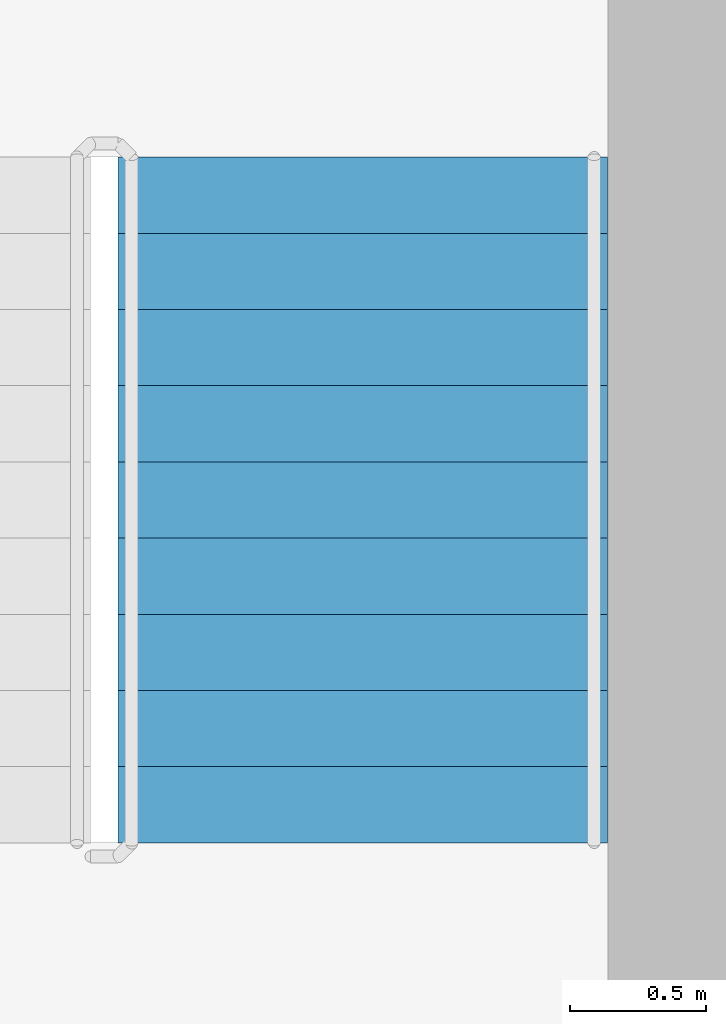
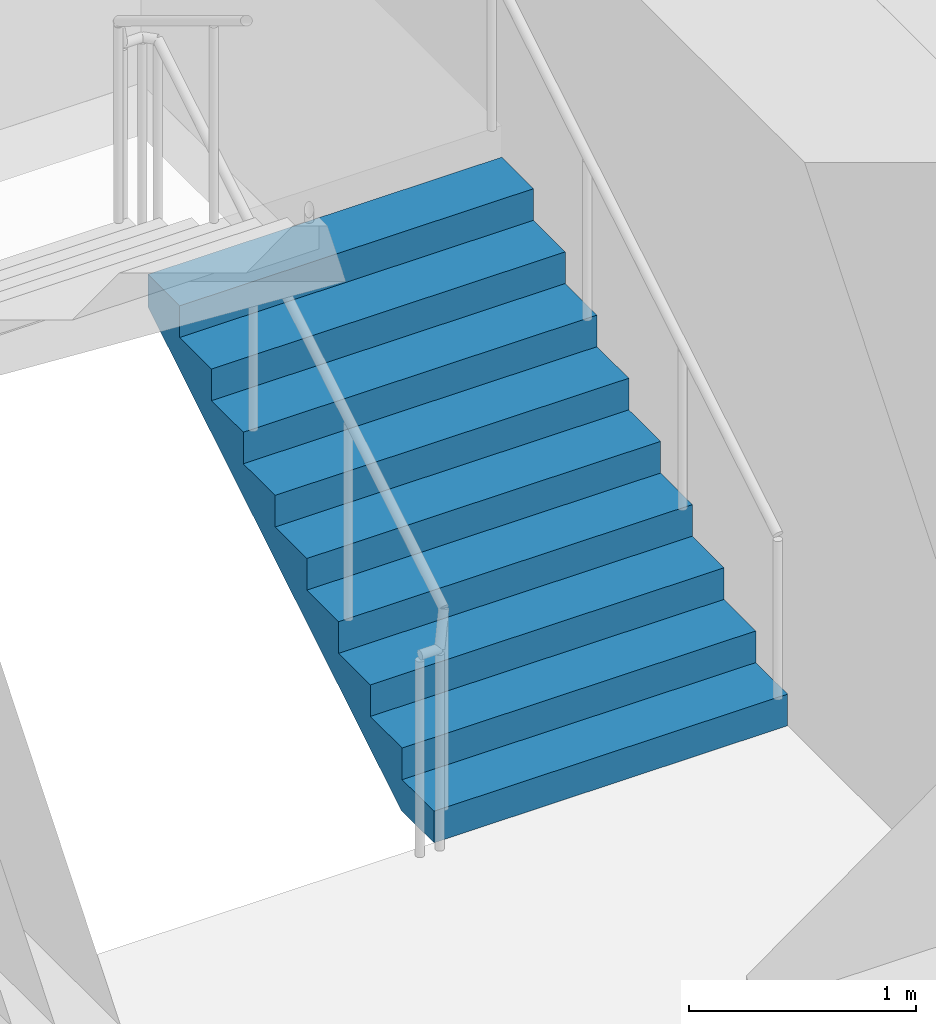
# One storey, part 13 of 24: 1 stair flight, 1 element without a shape of its own.
"""IFC4 building model written with IfcOpenShell, lengths in metres."""

import ifcopenshell
import ifcopenshell.guid

model = None  # the IFC model being written
_history = None  # IfcOwnerHistory: only IFC2X3 demands one
_inside = {}  # id of a spatial element -> (the spatial element, [elements in it])
_under = {}  # id of a project, library or spatial element -> (it, [spatial elements below it])
_declared = {}  # id of a project -> (the project, [libraries it declares])
_typed = {}  # id of a type object -> (the type object, [elements of that type])
_made_of = {}  # id of a material, layer set ... -> (it, [elements and type objects made of it])


def new_model(schema):
    """Start an empty IFC model of exactly this schema.

    Asked for "IFC4X3", IfcOpenShell would pick the latest addendum, in which some entities
    have other attributes; the version numbers below select the first issue.
    IFC2X3 requires an IfcOwnerHistory on every rooted entity: one is made here for all.
    """
    global model, _history
    if schema == "IFC4X3":
        model = ifcopenshell.file(schema_version=(4, 3, 0, 0))
    else:
        model = ifcopenshell.file(schema=schema)
    _inside.clear()
    _under.clear()
    _declared.clear()
    _typed.clear()
    _made_of.clear()
    _history = None
    if model.schema == "IFC2X3":
        org = make("IfcOrganization", Name="unknown")
        user = make(
            "IfcPersonAndOrganization",
            ThePerson=make("IfcPerson", FamilyName="unknown"),
            TheOrganization=org,
        )
        app = make(
            "IfcApplication",
            ApplicationDeveloper=org,
            Version="unknown",
            ApplicationFullName="unknown",
            ApplicationIdentifier="unknown",
        )
        _history = make(
            "IfcOwnerHistory",
            OwningUser=user,
            OwningApplication=app,
            ChangeAction="ADDED",
            CreationDate=0,
        )
    return model


def make(cls, **values):
    """One entity of the class cls with the attributes given. An attribute that is None is left unset."""
    return model.create_entity(
        cls, **{name: value for name, value in values.items() if value is not None}
    )


def rooted(cls, **values):
    """An entity with a GlobalId (a new one), such as an element, a storey or a relation."""
    return make(cls, GlobalId=ifcopenshell.guid.new(), OwnerHistory=_history, **values)


def si_unit(unit_type, name, prefix=None):
    """IfcSIUnit, for example si_unit("LENGTHUNIT", "METRE", prefix="MILLI")."""
    return make("IfcSIUnit", UnitType=unit_type, Prefix=prefix, Name=name)


def assignment(units):
    """IfcUnitAssignment: the units of a project."""
    return None if units is None else make("IfcUnitAssignment", Units=units)


def point(xyz):
    """IfcCartesianPoint."""
    return None if xyz is None else make("IfcCartesianPoint", Coordinates=xyz)


def direction(xyz):
    """IfcDirection."""
    return None if xyz is None else make("IfcDirection", DirectionRatios=xyz)


def frame(location, z_axis=None, x_axis=None):
    """IfcAxis2Placement3D, a coordinate frame: its origin and axes. An axis left out is left unset."""
    return make(
        "IfcAxis2Placement3D",
        Location=point(location),
        Axis=direction(z_axis),
        RefDirection=direction(x_axis),
    )


def origin():
    """The frame at (0, 0, 0) with its axes left unset."""
    return frame((0.0, 0.0, 0.0))


def place(relative_to, where):
    """IfcLocalPlacement: puts the frame where relative to a parent placement (None: the world)."""
    return make(
        "IfcLocalPlacement", PlacementRelTo=relative_to, RelativePlacement=where
    )


def context(
    kind, dimensions, precision=None, world=None, true_north=None, identifier=None
):
    """IfcGeometricRepresentationContext, for example the 3D "Model" context."""
    return make(
        "IfcGeometricRepresentationContext",
        ContextIdentifier=identifier,
        ContextType=kind,
        CoordinateSpaceDimension=dimensions,
        Precision=precision,
        WorldCoordinateSystem=world,
        TrueNorth=true_north,
    )


def subcontext(parent, identifier, kind, view, scale=None):
    """IfcGeometricRepresentationSubContext, for example "Body" below "Model"."""
    return make(
        "IfcGeometricRepresentationSubContext",
        ContextIdentifier=identifier,
        ContextType=kind,
        ParentContext=parent,
        TargetScale=scale,
        TargetView=view,
    )


def project(units=None, contexts=None):
    """IfcProject with its units and contexts."""
    return rooted(
        "IfcProject",
        Name="project",
        RepresentationContexts=contexts,
        UnitsInContext=assignment(units),
    )


def spatial(cls, under=None, at=None, **own):
    """A site, building, storey or space (cls), placed at a placement, below another one or the project."""
    s = rooted(cls, ObjectPlacement=at, **own)
    if under is not None:
        _under.setdefault(under.id(), (under, []))[1].append(s)
    return s


def point_list(points):
    """IfcCartesianPointList2D or 3D."""
    cls = (
        "IfcCartesianPointList2D" if len(points[0]) == 2 else "IfcCartesianPointList3D"
    )
    return make(cls, CoordList=points)


def triangles(points, corners, closed=None, point_numbers=None):
    """IfcTriangulatedFaceSet: each triangle names its three corners, points numbered from 1."""
    return make(
        "IfcTriangulatedFaceSet",
        Coordinates=point_list(points),
        Closed=closed,
        CoordIndex=corners,
        PnIndex=point_numbers,
    )


def shape(context_of_items, identifier, shape_type, items):
    """IfcShapeRepresentation: the items that make up one representation, for example the "Body"."""
    return make(
        "IfcShapeRepresentation",
        ContextOfItems=context_of_items,
        RepresentationIdentifier=identifier,
        RepresentationType=shape_type,
        Items=items,
    )


def source(mapping_origin, context_of_items, identifier, shape_type, items):
    """IfcRepresentationMap: a shape defined once, which mapped items show again and again."""
    return make(
        "IfcRepresentationMap",
        MappingOrigin=mapping_origin,
        MappedRepresentation=shape(context_of_items, identifier, shape_type, items),
    )


def transform(
    local_origin,
    x_axis=None,
    y_axis=None,
    z_axis=None,
    scale=None,
    scale2=None,
    scale3=None,
    uniform=True,
):
    """IfcCartesianTransformationOperator3D, or its non-uniform kind. x_axis, y_axis, z_axis: its Axis1, 2, 3."""
    if uniform:
        return make(
            "IfcCartesianTransformationOperator3D",
            Axis1=direction(x_axis),
            Axis2=direction(y_axis),
            LocalOrigin=point(local_origin),
            Scale=scale,
            Axis3=direction(z_axis),
        )
    return make(
        "IfcCartesianTransformationOperator3DnonUniform",
        Axis1=direction(x_axis),
        Axis2=direction(y_axis),
        LocalOrigin=point(local_origin),
        Scale=scale,
        Axis3=direction(z_axis),
        Scale2=scale2,
        Scale3=scale3,
    )


def mapped(mapping_source, mapping_target):
    """IfcMappedItem: shows the shape of a source again, moved by a transform."""
    return make(
        "IfcMappedItem", MappingSource=mapping_source, MappingTarget=mapping_target
    )


def material(Name=None, Category=None):
    """IfcMaterial."""
    return make("IfcMaterial", Name=Name, Category=Category)


def made_of(thing, what):
    """Note that an element or type object is made of a material, layer set ...; save() writes the relation."""
    if what is not None:
        _made_of.setdefault(what.id(), (what, []))[1].append(thing)
    return thing


def type_object(cls, material=None, **own):
    """A type object (cls), such as IfcWallType, which elements share."""
    return made_of(rooted(cls, **own), material)


def element(
    cls,
    number,
    at=None,
    inside=None,
    cuts=None,
    type_object=None,
    material=None,
    context=None,
    identifier="Body",
    shape_type=None,
    held_by="IfcProductDefinitionShape",
    body=None,
    shapes=None,
    **own,
):
    """One element of the class cls, such as IfcWall. Its Tag is "e" and its number.

    at: its placement. inside: the storey or other place that contains it. cuts: it is an
    opening in that element (IfcRelVoidsElement). A single representation is given by context,
    identifier, shape_type and body (its items); several are given by shapes. held_by: the class
    of the entity that holds the representations. save() writes the other relations.
    """
    e = rooted(cls, Tag="e%d" % number, ObjectPlacement=at, **own)
    if body is not None:
        shapes = [shape(context, identifier, shape_type, body)]
    if shapes is not None:
        e.Representation = make(held_by, Representations=shapes)
    if inside is not None:
        _inside.setdefault(inside.id(), (inside, []))[1].append(e)
    if cuts is not None:
        rooted(
            "IfcRelVoidsElement", RelatingBuildingElement=cuts, RelatedOpeningElement=e
        )
    if type_object is not None:
        _typed.setdefault(type_object.id(), (type_object, []))[1].append(e)
    return made_of(e, material)


def aggregate(whole, parts):
    """IfcRelAggregates: a whole, such as a stair, and the parts it consists of."""
    return rooted("IfcRelAggregates", RelatingObject=whole, RelatedObjects=parts)


def save(model, path):
    """Write the relations noted so far, then the file.

    IfcRelAggregates (storeys below a building ...), IfcRelContainedInSpatialStructure (elements
    in a storey), IfcRelDefinesByType, IfcRelAssociatesMaterial and IfcRelDeclares: one each for
    every whole, place, type object, material and project.
    """
    for whole, parts in _under.values():
        aggregate(whole, parts)
    for where, things in _inside.values():
        rooted(
            "IfcRelContainedInSpatialStructure",
            RelatedElements=things,
            RelatingStructure=where,
        )
    for kind, things in _typed.values():
        rooted("IfcRelDefinesByType", RelatedObjects=things, RelatingType=kind)
    for what, things in _made_of.values():
        rooted("IfcRelAssociatesMaterial", RelatedObjects=things, RelatingMaterial=what)
    for by, libraries in _declared.values():
        rooted("IfcRelDeclares", RelatingContext=by, RelatedDefinitions=libraries)
    model.write(path)


model = new_model("IFC4")

# Units and contexts
model_context = context("Model", 3, precision=1e-05, world=origin(), true_north=direction((0.0, 1.0)))
body_context = subcontext(model_context, "Body", "Model", "MODEL_VIEW")
ifc_project = project(units=[si_unit("LENGTHUNIT", "METRE"), si_unit("AREAUNIT", "SQUARE_METRE"), si_unit("VOLUMEUNIT", "CUBIC_METRE"), si_unit("PLANEANGLEUNIT", "RADIAN"), si_unit("MASSUNIT", "GRAM", prefix="KILO")], contexts=[model_context])

# Site, building, storey
site_placement = place(None, origin())
site = spatial("IfcSite", under=ifc_project, at=site_placement, CompositionType="ELEMENT")
building_placement = place(site_placement, origin())
building = spatial("IfcBuilding", under=site, at=building_placement, Name="Kilnfold Tower and Market Hall", CompositionType="ELEMENT")
storey_placement = place(building_placement, frame((0.0, 0.0, 175.300048828125)))
storey = spatial("IfcBuildingStorey", under=building, at=storey_placement, Name="L41", CompositionType="ELEMENT", Elevation=175.300048828125)

# Stair, stair flight
ifc_material_1 = material(Name="Concrete C40/50", Category="concrete")
stair_type = type_object("IfcStairType", Name="CORE STAIR 1800", PredefinedType="HALF_TURN_STAIR", material=ifc_material_1)
stair_placement = place(storey_placement, origin())
stair = element("IfcStair", 1, at=stair_placement, inside=storey, type_object=stair_type, Name="L41 ST2", PredefinedType="HALF_TURN_STAIR")
ifc_material_2 = material(Name="Concrete C40/50", Category="concrete")
stair_flight_type = type_object("IfcStairFlightType", Name="CORE STAIR FLIGHT 1800", PredefinedType="STRAIGHT", material=ifc_material_2)
shared_shape = source(origin(), body_context, "Body", "Tessellation", [
    triangles([(0.0, 0.89990234375, 0.0), (0.0, 0.78759765625, 0.0), (0.0, 0.675048828125, 0.0), (0.0, 0.5625, 0.0), (0.0, 0.449951171875, 0.0), (0.0, 0.33740234375, 0.0), (0.0, 0.22509765625, 0.0), (0.0, 0.112548828125, 0.0), (0.0, 0.0, 0.0), (0.0, -0.112548828125, 0.0), (0.0, -0.22509765625, 0.0), (0.0, -0.33740234375, 0.0), (0.0, -0.449951171875, 0.0), (0.0, -0.5625, 0.0), (0.0, -0.675048828125, 0.0), (0.0, -0.78759765625, 0.0), (0.0, -0.89990234375, 0.0), (0.0, 0.89990234375, 0.169921875), (0.0, 0.78759765625, 0.169921875), (0.0, 0.675048828125, 0.169921875), (0.0, 0.5625, 0.169921875), (0.0, 0.449951171875, 0.169921875), (0.0, 0.33740234375, 0.169921875), (0.0, 0.22509765625, 0.169921875), (0.0, 0.112548828125, 0.169921875), (0.0, 0.0, 0.169921875), (0.0, -0.112548828125, 0.169921875), (0.0, -0.22509765625, 0.169921875), (0.0, -0.33740234375, 0.169921875), (0.0, -0.449951171875, 0.169921875), (0.0, -0.5625, 0.169921875), (0.0, -0.675048828125, 0.169921875), (0.0, -0.78759765625, 0.169921875), (0.0, -0.89990234375, 0.169921875), (0.280029296875, 0.89990234375, 0.169921875), (0.280029296875, 0.78759765625, 0.169921875), (0.280029296875, 0.675048828125, 0.169921875), (0.280029296875, 0.5625, 0.169921875), (0.280029296875, 0.449951171875, 0.169921875), (0.280029296875, 0.33740234375, 0.169921875), (0.280029296875, 0.22509765625, 0.169921875), (0.280029296875, 0.112548828125, 0.169921875), (0.280029296875, 0.0, 0.169921875), (0.280029296875, -0.112548828125, 0.169921875), (0.280029296875, -0.22509765625, 0.169921875), (0.280029296875, -0.33740234375, 0.169921875), (0.280029296875, -0.449951171875, 0.169921875), (0.280029296875, -0.5625, 0.169921875), (0.280029296875, -0.675048828125, 0.169921875), (0.280029296875, -0.78759765625, 0.169921875), (0.280029296875, -0.89990234375, 0.169921875), (0.280029296875, 0.89990234375, 0.340087890625), (0.280029296875, 0.78759765625, 0.340087890625), (0.280029296875, 0.675048828125, 0.340087890625), (0.280029296875, 0.5625, 0.340087890625), (0.280029296875, 0.449951171875, 0.340087890625), (0.280029296875, 0.33740234375, 0.340087890625), (0.280029296875, 0.22509765625, 0.340087890625), (0.280029296875, 0.112548828125, 0.340087890625), (0.280029296875, 0.0, 0.340087890625), (0.280029296875, -0.112548828125, 0.340087890625), (0.280029296875, -0.22509765625, 0.340087890625), (0.280029296875, -0.33740234375, 0.340087890625), (0.280029296875, -0.449951171875, 0.340087890625), (0.280029296875, -0.5625, 0.340087890625), (0.280029296875, -0.675048828125, 0.340087890625), (0.280029296875, -0.78759765625, 0.340087890625), (0.280029296875, -0.89990234375, 0.340087890625), (0.56005859375, 0.89990234375, 0.340087890625), (0.56005859375, 0.78759765625, 0.340087890625), (0.56005859375, 0.675048828125, 0.340087890625), (0.56005859375, 0.5625, 0.340087890625), (0.56005859375, 0.449951171875, 0.340087890625), (0.56005859375, 0.33740234375, 0.340087890625), (0.56005859375, 0.22509765625, 0.340087890625), (0.56005859375, 0.112548828125, 0.340087890625), (0.56005859375, 0.0, 0.340087890625), (0.56005859375, -0.112548828125, 0.340087890625), (0.56005859375, -0.22509765625, 0.340087890625), (0.56005859375, -0.33740234375, 0.340087890625), (0.56005859375, -0.449951171875, 0.340087890625), (0.56005859375, -0.5625, 0.340087890625), (0.56005859375, -0.675048828125, 0.340087890625), (0.56005859375, -0.78759765625, 0.340087890625), (0.56005859375, -0.89990234375, 0.340087890625), (0.56005859375, 0.89990234375, 0.510009765625), (0.56005859375, 0.78759765625, 0.510009765625), (0.56005859375, 0.675048828125, 0.510009765625), (0.56005859375, 0.5625, 0.510009765625), (0.56005859375, 0.449951171875, 0.510009765625), (0.56005859375, 0.33740234375, 0.510009765625), (0.56005859375, 0.22509765625, 0.510009765625), (0.56005859375, 0.112548828125, 0.510009765625), (0.56005859375, 0.0, 0.510009765625), (0.56005859375, -0.112548828125, 0.510009765625), (0.56005859375, -0.22509765625, 0.510009765625), (0.56005859375, -0.33740234375, 0.510009765625), (0.56005859375, -0.449951171875, 0.510009765625), (0.56005859375, -0.5625, 0.510009765625), (0.56005859375, -0.675048828125, 0.510009765625), (0.56005859375, -0.78759765625, 0.510009765625), (0.56005859375, -0.89990234375, 0.510009765625), (0.840087890625, 0.89990234375, 0.510009765625), (0.840087890625, 0.78759765625, 0.510009765625), (0.840087890625, 0.675048828125, 0.510009765625), (0.840087890625, 0.5625, 0.510009765625), (0.840087890625, 0.449951171875, 0.510009765625), (0.840087890625, 0.33740234375, 0.510009765625), (0.840087890625, 0.22509765625, 0.510009765625), (0.840087890625, 0.112548828125, 0.510009765625), (0.840087890625, 0.0, 0.510009765625), (0.840087890625, -0.112548828125, 0.510009765625), (0.840087890625, -0.22509765625, 0.510009765625), (0.840087890625, -0.33740234375, 0.510009765625), (0.840087890625, -0.449951171875, 0.510009765625), (0.840087890625, -0.5625, 0.510009765625), (0.840087890625, -0.675048828125, 0.510009765625), (0.840087890625, -0.78759765625, 0.510009765625), (0.840087890625, -0.89990234375, 0.510009765625), (0.840087890625, 0.89990234375, 0.679931640625), (0.840087890625, 0.78759765625, 0.679931640625), (0.840087890625, 0.675048828125, 0.679931640625), (0.840087890625, 0.5625, 0.679931640625), (0.840087890625, 0.449951171875, 0.679931640625), (0.840087890625, 0.33740234375, 0.679931640625), (0.840087890625, 0.22509765625, 0.679931640625), (0.840087890625, 0.112548828125, 0.679931640625), (0.840087890625, 0.0, 0.679931640625), (0.840087890625, -0.112548828125, 0.679931640625), (0.840087890625, -0.22509765625, 0.679931640625), (0.840087890625, -0.33740234375, 0.679931640625), (0.840087890625, -0.449951171875, 0.679931640625), (0.840087890625, -0.5625, 0.679931640625), (0.840087890625, -0.675048828125, 0.679931640625), (0.840087890625, -0.78759765625, 0.679931640625), (0.840087890625, -0.89990234375, 0.679931640625), (1.1201171875, 0.89990234375, 0.679931640625), (1.1201171875, 0.78759765625, 0.679931640625), (1.1201171875, 0.675048828125, 0.679931640625), (1.1201171875, 0.5625, 0.679931640625), (1.1201171875, 0.449951171875, 0.679931640625), (1.1201171875, 0.33740234375, 0.679931640625), (1.1201171875, 0.22509765625, 0.679931640625), (1.1201171875, 0.112548828125, 0.679931640625), (1.1201171875, 0.0, 0.679931640625), (1.1201171875, -0.112548828125, 0.679931640625), (1.1201171875, -0.22509765625, 0.679931640625), (1.1201171875, -0.33740234375, 0.679931640625), (1.1201171875, -0.449951171875, 0.679931640625), (1.1201171875, -0.5625, 0.679931640625), (1.1201171875, -0.675048828125, 0.679931640625), (1.1201171875, -0.78759765625, 0.679931640625), (1.1201171875, -0.89990234375, 0.679931640625), (1.1201171875, 0.89990234375, 0.85009765625), (1.1201171875, 0.78759765625, 0.85009765625), (1.1201171875, 0.675048828125, 0.85009765625), (1.1201171875, 0.5625, 0.85009765625), (1.1201171875, 0.449951171875, 0.85009765625), (1.1201171875, 0.33740234375, 0.85009765625), (1.1201171875, 0.22509765625, 0.85009765625), (1.1201171875, 0.112548828125, 0.85009765625), (1.1201171875, 0.0, 0.85009765625), (1.1201171875, -0.112548828125, 0.85009765625), (1.1201171875, -0.22509765625, 0.85009765625), (1.1201171875, -0.33740234375, 0.85009765625), (1.1201171875, -0.449951171875, 0.85009765625), (1.1201171875, -0.5625, 0.85009765625), (1.1201171875, -0.675048828125, 0.85009765625), (1.1201171875, -0.78759765625, 0.85009765625), (1.1201171875, -0.89990234375, 0.85009765625), (1.39990234375, 0.89990234375, 0.85009765625), (1.39990234375, 0.78759765625, 0.85009765625), (1.39990234375, 0.675048828125, 0.85009765625), (1.39990234375, 0.5625, 0.85009765625), (1.39990234375, 0.449951171875, 0.85009765625), (1.39990234375, 0.33740234375, 0.85009765625), (1.39990234375, 0.22509765625, 0.85009765625), (1.39990234375, 0.112548828125, 0.85009765625), (1.39990234375, 0.0, 0.85009765625), (1.39990234375, -0.112548828125, 0.85009765625), (1.39990234375, -0.22509765625, 0.85009765625), (1.39990234375, -0.33740234375, 0.85009765625), (1.39990234375, -0.449951171875, 0.85009765625), (1.39990234375, -0.5625, 0.85009765625), (1.39990234375, -0.675048828125, 0.85009765625), (1.39990234375, -0.78759765625, 0.85009765625), (1.39990234375, -0.89990234375, 0.85009765625), (1.39990234375, 0.89990234375, 1.02001953125), (1.39990234375, 0.78759765625, 1.02001953125), (1.39990234375, 0.675048828125, 1.02001953125), (1.39990234375, 0.5625, 1.02001953125), (1.39990234375, 0.449951171875, 1.02001953125), (1.39990234375, 0.33740234375, 1.02001953125), (1.39990234375, 0.22509765625, 1.02001953125), (1.39990234375, 0.112548828125, 1.02001953125), (1.39990234375, 0.0, 1.02001953125), (1.39990234375, -0.112548828125, 1.02001953125), (1.39990234375, -0.22509765625, 1.02001953125), (1.39990234375, -0.33740234375, 1.02001953125), (1.39990234375, -0.449951171875, 1.02001953125), (1.39990234375, -0.5625, 1.02001953125), (1.39990234375, -0.675048828125, 1.02001953125), (1.39990234375, -0.78759765625, 1.02001953125), (1.39990234375, -0.89990234375, 1.02001953125), (1.679931640625, 0.89990234375, 1.02001953125), (1.679931640625, 0.78759765625, 1.02001953125), (1.679931640625, 0.675048828125, 1.02001953125), (1.679931640625, 0.5625, 1.02001953125), (1.679931640625, 0.449951171875, 1.02001953125), (1.679931640625, 0.33740234375, 1.02001953125), (1.679931640625, 0.22509765625, 1.02001953125), (1.679931640625, 0.112548828125, 1.02001953125), (1.679931640625, 0.0, 1.02001953125), (1.679931640625, -0.112548828125, 1.02001953125), (1.679931640625, -0.22509765625, 1.02001953125), (1.679931640625, -0.33740234375, 1.02001953125), (1.679931640625, -0.449951171875, 1.02001953125), (1.679931640625, -0.5625, 1.02001953125), (1.679931640625, -0.675048828125, 1.02001953125), (1.679931640625, -0.78759765625, 1.02001953125), (1.679931640625, -0.89990234375, 1.02001953125), (1.679931640625, 0.89990234375, 1.18994140625), (1.679931640625, 0.78759765625, 1.18994140625), (1.679931640625, 0.675048828125, 1.18994140625), (1.679931640625, 0.5625, 1.18994140625), (1.679931640625, 0.449951171875, 1.18994140625), (1.679931640625, 0.33740234375, 1.18994140625), (1.679931640625, 0.22509765625, 1.18994140625), (1.679931640625, 0.112548828125, 1.18994140625), (1.679931640625, 0.0, 1.18994140625), (1.679931640625, -0.112548828125, 1.18994140625), (1.679931640625, -0.22509765625, 1.18994140625), (1.679931640625, -0.33740234375, 1.18994140625), (1.679931640625, -0.449951171875, 1.18994140625), (1.679931640625, -0.5625, 1.18994140625), (1.679931640625, -0.675048828125, 1.18994140625), (1.679931640625, -0.78759765625, 1.18994140625), (1.679931640625, -0.89990234375, 1.18994140625), (1.9599609375, 0.89990234375, 1.18994140625), (1.9599609375, 0.78759765625, 1.18994140625), (1.9599609375, 0.675048828125, 1.18994140625), (1.9599609375, 0.5625, 1.18994140625), (1.9599609375, 0.449951171875, 1.18994140625), (1.9599609375, 0.33740234375, 1.18994140625), (1.9599609375, 0.22509765625, 1.18994140625), (1.9599609375, 0.112548828125, 1.18994140625), (1.9599609375, 0.0, 1.18994140625), (1.9599609375, -0.112548828125, 1.18994140625), (1.9599609375, -0.22509765625, 1.18994140625), (1.9599609375, -0.33740234375, 1.18994140625), (1.9599609375, -0.449951171875, 1.18994140625), (1.9599609375, -0.5625, 1.18994140625), (1.9599609375, -0.675048828125, 1.18994140625), (1.9599609375, -0.78759765625, 1.18994140625), (1.9599609375, -0.89990234375, 1.18994140625), (1.9599609375, 0.89990234375, 1.360107421875), (1.9599609375, 0.78759765625, 1.360107421875), (1.9599609375, 0.675048828125, 1.360107421875), (1.9599609375, 0.5625, 1.360107421875), (1.9599609375, 0.449951171875, 1.360107421875), (1.9599609375, 0.33740234375, 1.360107421875), (1.9599609375, 0.22509765625, 1.360107421875), (1.9599609375, 0.112548828125, 1.360107421875), (1.9599609375, 0.0, 1.360107421875), (1.9599609375, -0.112548828125, 1.360107421875), (1.9599609375, -0.22509765625, 1.360107421875), (1.9599609375, -0.33740234375, 1.360107421875), (1.9599609375, -0.449951171875, 1.360107421875), (1.9599609375, -0.5625, 1.360107421875), (1.9599609375, -0.675048828125, 1.360107421875), (1.9599609375, -0.78759765625, 1.360107421875), (1.9599609375, -0.89990234375, 1.360107421875), (2.239990234375, 0.89990234375, 1.360107421875), (2.239990234375, 0.78759765625, 1.360107421875), (2.239990234375, 0.675048828125, 1.360107421875), (2.239990234375, 0.5625, 1.360107421875), (2.239990234375, 0.449951171875, 1.360107421875), (2.239990234375, 0.33740234375, 1.360107421875), (2.239990234375, 0.22509765625, 1.360107421875), (2.239990234375, 0.112548828125, 1.360107421875), (2.239990234375, 0.0, 1.360107421875), (2.239990234375, -0.112548828125, 1.360107421875), (2.239990234375, -0.22509765625, 1.360107421875), (2.239990234375, -0.33740234375, 1.360107421875), (2.239990234375, -0.449951171875, 1.360107421875), (2.239990234375, -0.5625, 1.360107421875), (2.239990234375, -0.675048828125, 1.360107421875), (2.239990234375, -0.78759765625, 1.360107421875), (2.239990234375, -0.89990234375, 1.360107421875), (2.239990234375, 0.89990234375, 1.530029296875), (2.239990234375, 0.78759765625, 1.530029296875), (2.239990234375, 0.675048828125, 1.530029296875), (2.239990234375, 0.5625, 1.530029296875), (2.239990234375, 0.449951171875, 1.530029296875), (2.239990234375, 0.33740234375, 1.530029296875), (2.239990234375, 0.22509765625, 1.530029296875), (2.239990234375, 0.112548828125, 1.530029296875), (2.239990234375, 0.0, 1.530029296875), (2.239990234375, -0.112548828125, 1.530029296875), (2.239990234375, -0.22509765625, 1.530029296875), (2.239990234375, -0.33740234375, 1.530029296875), (2.239990234375, -0.449951171875, 1.530029296875), (2.239990234375, -0.5625, 1.530029296875), (2.239990234375, -0.675048828125, 1.530029296875), (2.239990234375, -0.78759765625, 1.530029296875), (2.239990234375, -0.89990234375, 1.530029296875), (2.52001953125, 0.89990234375, 1.530029296875), (2.52001953125, 0.78759765625, 1.530029296875), (2.52001953125, 0.675048828125, 1.530029296875), (2.52001953125, 0.5625, 1.530029296875), (2.52001953125, 0.449951171875, 1.530029296875), (2.52001953125, 0.33740234375, 1.530029296875), (2.52001953125, 0.22509765625, 1.530029296875), (2.52001953125, 0.112548828125, 1.530029296875), (2.52001953125, 0.0, 1.530029296875), (2.52001953125, -0.112548828125, 1.530029296875), (2.52001953125, -0.22509765625, 1.530029296875), (2.52001953125, -0.33740234375, 1.530029296875), (2.52001953125, -0.449951171875, 1.530029296875), (2.52001953125, -0.5625, 1.530029296875), (2.52001953125, -0.675048828125, 1.530029296875), (2.52001953125, -0.78759765625, 1.530029296875), (2.52001953125, -0.89990234375, 1.530029296875), (2.52001953125, 0.89990234375, 1.354736328125), (2.52001953125, 0.78759765625, 1.354736328125), (2.52001953125, 0.675048828125, 1.354736328125), (2.52001953125, 0.5625, 1.354736328125), (2.52001953125, 0.449951171875, 1.354736328125), (2.52001953125, 0.33740234375, 1.354736328125), (2.52001953125, 0.22509765625, 1.354736328125), (2.52001953125, 0.112548828125, 1.354736328125), (2.52001953125, 0.0, 1.354736328125), (2.52001953125, -0.112548828125, 1.354736328125), (2.52001953125, -0.22509765625, 1.354736328125), (2.52001953125, -0.33740234375, 1.354736328125), (2.52001953125, -0.449951171875, 1.354736328125), (2.52001953125, -0.5625, 1.354736328125), (2.52001953125, -0.675048828125, 1.354736328125), (2.52001953125, -0.78759765625, 1.354736328125), (2.52001953125, -0.89990234375, 1.354736328125), (0.288818359375, 0.89990234375, 0.0), (0.288818359375, 0.78759765625, 0.0), (0.288818359375, 0.675048828125, 0.0), (0.288818359375, 0.5625, 0.0), (0.288818359375, 0.449951171875, 0.0), (0.288818359375, 0.33740234375, 0.0), (0.288818359375, 0.22509765625, 0.0), (0.288818359375, 0.112548828125, 0.0), (0.288818359375, 0.0, 0.0), (0.288818359375, -0.112548828125, 0.0), (0.288818359375, -0.22509765625, 0.0), (0.288818359375, -0.33740234375, 0.0), (0.288818359375, -0.449951171875, 0.0), (0.288818359375, -0.5625, 0.0), (0.288818359375, -0.675048828125, 0.0), (0.288818359375, -0.78759765625, 0.0), (0.288818359375, -0.89990234375, 0.0)], [[1, 324, 341], [17, 357, 340], [324, 290, 307], [340, 323, 306], [324, 273, 290], [340, 306, 289], [324, 256, 273], [340, 289, 272], [324, 239, 256], [340, 272, 255], [239, 205, 222], [255, 238, 221], [324, 205, 239], [340, 255, 221], [205, 171, 188], [221, 204, 187], [324, 171, 205], [340, 221, 187], [171, 137, 154], [187, 170, 153], [324, 137, 171], [340, 187, 153], [137, 103, 120], [153, 136, 119], [324, 103, 137], [340, 153, 119], [103, 69, 86], [119, 102, 85], [324, 69, 103], [340, 119, 85], [69, 35, 52], [85, 68, 51], [324, 35, 69], [340, 85, 51], [1, 35, 324], [17, 340, 51], [35, 1, 18], [51, 34, 17], [1, 19, 18], [1, 2, 19], [2, 20, 19], [2, 3, 20], [3, 21, 20], [3, 4, 21], [4, 22, 21], [4, 5, 22], [5, 23, 22], [5, 6, 23], [6, 24, 23], [6, 7, 24], [7, 25, 24], [7, 8, 25], [8, 26, 25], [8, 9, 26], [9, 27, 26], [9, 10, 27], [10, 28, 27], [10, 11, 28], [11, 29, 28], [11, 12, 29], [12, 30, 29], [12, 13, 30], [13, 31, 30], [13, 14, 31], [14, 32, 31], [14, 15, 32], [15, 33, 32], [15, 16, 33], [16, 34, 33], [16, 17, 34], [18, 36, 35], [18, 19, 36], [19, 37, 36], [19, 20, 37], [20, 38, 37], [20, 21, 38], [21, 39, 38], [21, 22, 39], [22, 40, 39], [22, 23, 40], [23, 41, 40], [23, 24, 41], [24, 42, 41], [24, 25, 42], [25, 43, 42], [25, 26, 43], [26, 44, 43], [26, 27, 44], [27, 45, 44], [27, 28, 45], [28, 46, 45], [28, 29, 46], [29, 47, 46], [29, 30, 47], [30, 48, 47], [30, 31, 48], [31, 49, 48], [31, 32, 49], [32, 50, 49], [32, 33, 50], [33, 51, 50], [33, 34, 51], [35, 53, 52], [35, 36, 53], [36, 54, 53], [36, 37, 54], [37, 55, 54], [37, 38, 55], [38, 56, 55], [38, 39, 56], [39, 57, 56], [39, 40, 57], [40, 58, 57], [40, 41, 58], [41, 59, 58], [41, 42, 59], [42, 60, 59], [42, 43, 60], [43, 61, 60], [43, 44, 61], [44, 62, 61], [44, 45, 62], [45, 63, 62], [45, 46, 63], [46, 64, 63], [46, 47, 64], [47, 65, 64], [47, 48, 65], [48, 66, 65], [48, 49, 66], [49, 67, 66], [49, 50, 67], [50, 68, 67], [50, 51, 68], [52, 70, 69], [52, 53, 70], [53, 71, 70], [53, 54, 71], [54, 72, 71], [54, 55, 72], [55, 73, 72], [55, 56, 73], [56, 74, 73], [56, 57, 74], [57, 75, 74], [57, 58, 75], [58, 76, 75], [58, 59, 76], [59, 77, 76], [59, 60, 77], [60, 78, 77], [60, 61, 78], [61, 79, 78], [61, 62, 79], [62, 80, 79], [62, 63, 80], [63, 81, 80], [63, 64, 81], [64, 82, 81], [64, 65, 82], [65, 83, 82], [65, 66, 83], [66, 84, 83], [66, 67, 84], [67, 85, 84], [67, 68, 85], [69, 87, 86], [69, 70, 87], [70, 88, 87], [70, 71, 88], [71, 89, 88], [71, 72, 89], [72, 90, 89], [72, 73, 90], [73, 91, 90], [73, 74, 91], [74, 92, 91], [74, 75, 92], [75, 93, 92], [75, 76, 93], [76, 94, 93], [76, 77, 94], [77, 95, 94], [77, 78, 95], [78, 96, 95], [78, 79, 96], [79, 97, 96], [79, 80, 97], [80, 98, 97], [80, 81, 98], [81, 99, 98], [81, 82, 99], [82, 100, 99], [82, 83, 100], [83, 101, 100], [83, 84, 101], [84, 102, 101], [84, 85, 102], [86, 104, 103], [86, 87, 104], [87, 105, 104], [87, 88, 105], [88, 106, 105], [88, 89, 106], [89, 107, 106], [89, 90, 107], [90, 108, 107], [90, 91, 108], [91, 109, 108], [91, 92, 109], [92, 110, 109], [92, 93, 110], [93, 111, 110], [93, 94, 111], [94, 112, 111], [94, 95, 112], [95, 113, 112], [95, 96, 113], [96, 114, 113], [96, 97, 114], [97, 115, 114], [97, 98, 115], [98, 116, 115], [98, 99, 116], [99, 117, 116], [99, 100, 117], [100, 118, 117], [100, 101, 118], [101, 119, 118], [101, 102, 119], [103, 121, 120], [103, 104, 121], [104, 122, 121], [104, 105, 122], [105, 123, 122], [105, 106, 123], [106, 124, 123], [106, 107, 124], [107, 125, 124], [107, 108, 125], [108, 126, 125], [108, 109, 126], [109, 127, 126], [109, 110, 127], [110, 128, 127], [110, 111, 128], [111, 129, 128], [111, 112, 129], [112, 130, 129], [112, 113, 130], [113, 131, 130], [113, 114, 131], [114, 132, 131], [114, 115, 132], [115, 133, 132], [115, 116, 133], [116, 134, 133], [116, 117, 134], [117, 135, 134], [117, 118, 135], [118, 136, 135], [118, 119, 136], [120, 138, 137], [120, 121, 138], [121, 139, 138], [121, 122, 139], [122, 140, 139], [122, 123, 140], [123, 141, 140], [123, 124, 141], [124, 142, 141], [124, 125, 142], [125, 143, 142], [125, 126, 143], [126, 144, 143], [126, 127, 144], [127, 145, 144], [127, 128, 145], [128, 146, 145], [128, 129, 146], [129, 147, 146], [129, 130, 147], [130, 148, 147], [130, 131, 148], [131, 149, 148], [131, 132, 149], [132, 150, 149], [132, 133, 150], [133, 151, 150], [133, 134, 151], [134, 152, 151], [134, 135, 152], [135, 153, 152], [135, 136, 153], [137, 155, 154], [137, 138, 155], [138, 156, 155], [138, 139, 156], [139, 157, 156], [139, 140, 157], [140, 158, 157], [140, 141, 158], [141, 159, 158], [141, 142, 159], [142, 160, 159], [142, 143, 160], [143, 161, 160], [143, 144, 161], [144, 162, 161], [144, 145, 162], [145, 163, 162], [145, 146, 163], [146, 164, 163], [146, 147, 164], [147, 165, 164], [147, 148, 165], [148, 166, 165], [148, 149, 166], [149, 167, 166], [149, 150, 167], [150, 168, 167], [150, 151, 168], [151, 169, 168], [151, 152, 169], [152, 170, 169], [152, 153, 170], [154, 172, 171], [154, 155, 172], [155, 173, 172], [155, 156, 173], [156, 174, 173], [156, 157, 174], [157, 175, 174], [157, 158, 175], [158, 176, 175], [158, 159, 176], [159, 177, 176], [159, 160, 177], [160, 178, 177], [160, 161, 178], [161, 179, 178], [161, 162, 179], [162, 180, 179], [162, 163, 180], [163, 181, 180], [163, 164, 181], [164, 182, 181], [164, 165, 182], [165, 183, 182], [165, 166, 183], [166, 184, 183], [166, 167, 184], [167, 185, 184], [167, 168, 185], [168, 186, 185], [168, 169, 186], [169, 187, 186], [169, 170, 187], [171, 189, 188], [171, 172, 189], [172, 190, 189], [172, 173, 190], [173, 191, 190], [173, 174, 191], [174, 192, 191], [174, 175, 192], [175, 193, 192], [175, 176, 193], [176, 194, 193], [176, 177, 194], [177, 195, 194], [177, 178, 195], [178, 196, 195], [178, 179, 196], [179, 197, 196], [179, 180, 197], [180, 198, 197], [180, 181, 198], [181, 199, 198], [181, 182, 199], [182, 200, 199], [182, 183, 200], [183, 201, 200], [183, 184, 201], [184, 202, 201], [184, 185, 202], [185, 203, 202], [185, 186, 203], [186, 204, 203], [186, 187, 204], [188, 206, 205], [188, 189, 206], [189, 207, 206], [189, 190, 207], [190, 208, 207], [190, 191, 208], [191, 209, 208], [191, 192, 209], [192, 210, 209], [192, 193, 210], [193, 211, 210], [193, 194, 211], [194, 212, 211], [194, 195, 212], [195, 213, 212], [195, 196, 213], [196, 214, 213], [196, 197, 214], [197, 215, 214], [197, 198, 215], [198, 216, 215], [198, 199, 216], [199, 217, 216], [199, 200, 217], [200, 218, 217], [200, 201, 218], [201, 219, 218], [201, 202, 219], [202, 220, 219], [202, 203, 220], [203, 221, 220], [203, 204, 221], [205, 223, 222], [205, 206, 223], [206, 224, 223], [206, 207, 224], [207, 225, 224], [207, 208, 225], [208, 226, 225], [208, 209, 226], [209, 227, 226], [209, 210, 227], [210, 228, 227], [210, 211, 228], [211, 229, 228], [211, 212, 229], [212, 230, 229], [212, 213, 230], [213, 231, 230], [213, 214, 231], [214, 232, 231], [214, 215, 232], [215, 233, 232], [215, 216, 233], [216, 234, 233], [216, 217, 234], [217, 235, 234], [217, 218, 235], [218, 236, 235], [218, 219, 236], [219, 237, 236], [219, 220, 237], [220, 238, 237], [220, 221, 238], [222, 240, 239], [222, 223, 240], [223, 241, 240], [223, 224, 241], [224, 242, 241], [224, 225, 242], [225, 243, 242], [225, 226, 243], [226, 244, 243], [226, 227, 244], [227, 245, 244], [227, 228, 245], [228, 246, 245], [228, 229, 246], [229, 247, 246], [229, 230, 247], [230, 248, 247], [230, 231, 248], [231, 249, 248], [231, 232, 249], [232, 250, 249], [232, 233, 250], [233, 251, 250], [233, 234, 251], [234, 252, 251], [234, 235, 252], [235, 253, 252], [235, 236, 253], [236, 254, 253], [236, 237, 254], [237, 255, 254], [237, 238, 255], [239, 257, 256], [239, 240, 257], [240, 258, 257], [240, 241, 258], [241, 259, 258], [241, 242, 259], [242, 260, 259], [242, 243, 260], [243, 261, 260], [243, 244, 261], [244, 262, 261], [244, 245, 262], [245, 263, 262], [245, 246, 263], [246, 264, 263], [246, 247, 264], [247, 265, 264], [247, 248, 265], [248, 266, 265], [248, 249, 266], [249, 267, 266], [249, 250, 267], [250, 268, 267], [250, 251, 268], [251, 269, 268], [251, 252, 269], [252, 270, 269], [252, 253, 270], [253, 271, 270], [253, 254, 271], [254, 272, 271], [254, 255, 272], [256, 274, 273], [256, 257, 274], [257, 275, 274], [257, 258, 275], [258, 276, 275], [258, 259, 276], [259, 277, 276], [259, 260, 277], [260, 278, 277], [260, 261, 278], [261, 279, 278], [261, 262, 279], [262, 280, 279], [262, 263, 280], [263, 281, 280], [263, 264, 281], [264, 282, 281], [264, 265, 282], [265, 283, 282], [265, 266, 283], [266, 284, 283], [266, 267, 284], [267, 285, 284], [267, 268, 285], [268, 286, 285], [268, 269, 286], [269, 287, 286], [269, 270, 287], [270, 288, 287], [270, 271, 288], [271, 289, 288], [271, 272, 289], [273, 291, 290], [273, 274, 291], [274, 292, 291], [274, 275, 292], [275, 293, 292], [275, 276, 293], [276, 294, 293], [276, 277, 294], [277, 295, 294], [277, 278, 295], [278, 296, 295], [278, 279, 296], [279, 297, 296], [279, 280, 297], [280, 298, 297], [280, 281, 298], [281, 299, 298], [281, 282, 299], [282, 300, 299], [282, 283, 300], [283, 301, 300], [283, 284, 301], [284, 302, 301], [284, 285, 302], [285, 303, 302], [285, 286, 303], [286, 304, 303], [286, 287, 304], [287, 305, 304], [287, 288, 305], [288, 306, 305], [288, 289, 306], [290, 308, 307], [290, 291, 308], [291, 309, 308], [291, 292, 309], [292, 310, 309], [292, 293, 310], [293, 311, 310], [293, 294, 311], [294, 312, 311], [294, 295, 312], [295, 313, 312], [295, 296, 313], [296, 314, 313], [296, 297, 314], [297, 315, 314], [297, 298, 315], [298, 316, 315], [298, 299, 316], [299, 317, 316], [299, 300, 317], [300, 318, 317], [300, 301, 318], [301, 319, 318], [301, 302, 319], [302, 320, 319], [302, 303, 320], [303, 321, 320], [303, 304, 321], [304, 322, 321], [304, 305, 322], [305, 323, 322], [305, 306, 323], [307, 325, 324], [307, 308, 325], [308, 326, 325], [308, 309, 326], [309, 327, 326], [309, 310, 327], [310, 328, 327], [310, 311, 328], [311, 329, 328], [311, 312, 329], [312, 330, 329], [312, 313, 330], [313, 331, 330], [313, 314, 331], [314, 332, 331], [314, 315, 332], [315, 333, 332], [315, 316, 333], [316, 334, 333], [316, 317, 334], [317, 335, 334], [317, 318, 335], [318, 336, 335], [318, 319, 336], [319, 337, 336], [319, 320, 337], [320, 338, 337], [320, 321, 338], [321, 339, 338], [321, 322, 339], [322, 340, 339], [322, 323, 340], [324, 342, 341], [324, 325, 342], [325, 343, 342], [325, 326, 343], [326, 344, 343], [326, 327, 344], [327, 345, 344], [327, 328, 345], [328, 346, 345], [328, 329, 346], [329, 347, 346], [329, 330, 347], [330, 348, 347], [330, 331, 348], [331, 349, 348], [331, 332, 349], [332, 350, 349], [332, 333, 350], [333, 351, 350], [333, 334, 351], [334, 352, 351], [334, 335, 352], [335, 353, 352], [335, 336, 353], [336, 354, 353], [336, 337, 354], [337, 355, 354], [337, 338, 355], [338, 356, 355], [338, 339, 356], [339, 357, 356], [339, 340, 357], [341, 2, 1], [341, 342, 2], [342, 3, 2], [342, 343, 3], [343, 4, 3], [343, 344, 4], [344, 5, 4], [344, 345, 5], [345, 6, 5], [345, 346, 6], [346, 7, 6], [346, 347, 7], [347, 8, 7], [347, 348, 8], [348, 9, 8], [348, 349, 9], [349, 10, 9], [349, 350, 10], [350, 11, 10], [350, 351, 11], [351, 12, 11], [351, 352, 12], [352, 13, 12], [352, 353, 13], [353, 14, 13], [353, 354, 14], [354, 15, 14], [354, 355, 15], [355, 16, 15], [355, 356, 16], [356, 17, 16], [356, 357, 17]], closed=True),
])
stair_flight_placement = place(storey_placement, frame((16.199951171875, 10.800048828125, 0.0), z_axis=(0.0, 0.0, 1.0), x_axis=(0.0, 1.0, 0.0)))
stair_flight = element("IfcStairFlight", 2, at=stair_flight_placement, type_object=stair_flight_type, Name="ST2 flight 1", NumberOfRisers=10, NumberOfTreads=9, PredefinedType="STRAIGHT", RiserHeight=0.17, TreadLength=0.28, context=body_context, shape_type="MappedRepresentation", body=[
    mapped(shared_shape, transform((0.0, 0.0, 0.0))),
])
aggregate(stair, [stair_flight])

save(model, "model.ifc")
